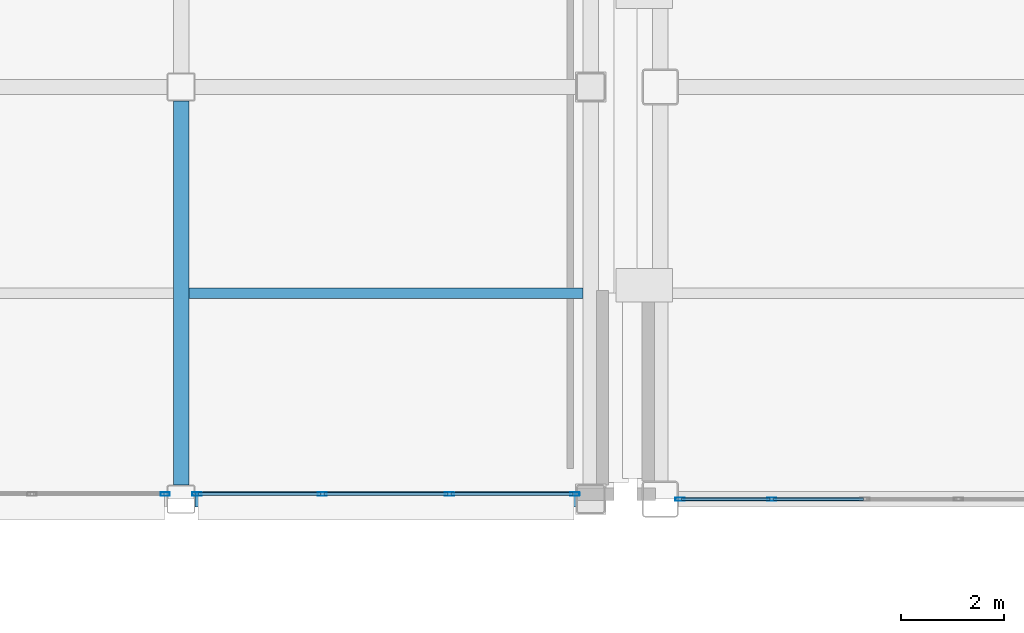
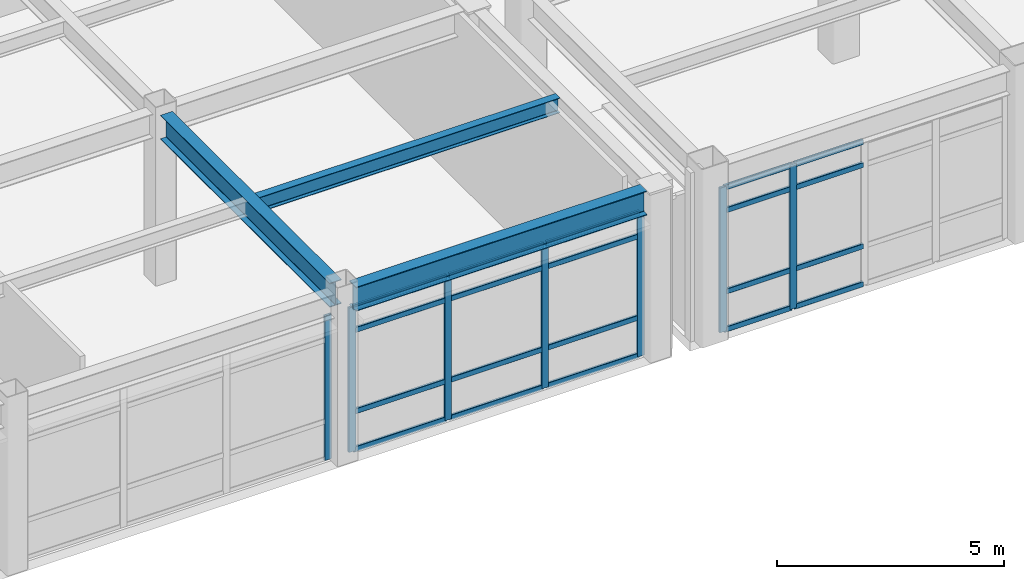
# One storey, part 43 of 154: 27 members, 3 beams, 3 elements without a shape of their own.
"""IFC4 building model written with IfcOpenShell, lengths in metres."""

from ifc_helpers import new_model, si_unit, direction, frame, origin, origin_2d, place, context, subcontext, project, spatial, hollow_rectangle, i_section, extrude, material, layer, layer_set, material_profile, profile_set, type_object, element, aggregate, save


model = new_model("IFC4")

# Units and contexts
model_context = context("Model", 3, precision=1e-05, world=origin(), true_north=direction((0.0, 1.0)))
body_context = subcontext(model_context, "Body", "Model", "MODEL_VIEW")
ifc_project = project(units=[si_unit("LENGTHUNIT", "METRE"), si_unit("AREAUNIT", "SQUARE_METRE"), si_unit("VOLUMEUNIT", "CUBIC_METRE"), si_unit("PLANEANGLEUNIT", "RADIAN"), si_unit("MASSUNIT", "GRAM", prefix="KILO")], contexts=[model_context])

# Site, building, storey
site_placement = place(None, origin())
site = spatial("IfcSite", under=ifc_project, at=site_placement, CompositionType="ELEMENT")
building_placement = place(site_placement, origin())
building = spatial("IfcBuilding", under=site, at=building_placement, Name="Kazehara Bluff Congress Hotel", CompositionType="ELEMENT")
storey_placement = place(building_placement, frame((0.0, 0.0, 10.199951171875)))
storey = spatial("IfcBuildingStorey", under=building, at=storey_placement, Name="L02", CompositionType="ELEMENT", Elevation=10.199951171875)

# Curtain wall, members
ifc_material_1 = material(Name="Anodised aluminium", Category="aluminium")
ifc_layer_1 = layer(ifc_material_1, 0.159912109375)
ifc_layer_set_1 = layer_set([ifc_layer_1], Name="Anodised aluminium")
curtain_wall_type_1 = type_object("IfcCurtainWallType", Name="TP-CW-78", PredefinedType="NOTDEFINED", material=ifc_layer_set_1)
curtain_wall_1_placement = place(storey_placement, origin())
curtain_wall_1 = element("IfcCurtainWall", 1, at=curtain_wall_1_placement, inside=storey, type_object=curtain_wall_type_1, Name="L02 curtain wall CW-78 CW-V5-L02-Y1600-11090", PredefinedType="NOTDEFINED")
ifc_material_2 = material(Name="Anodised aluminium", Category="aluminium")
ifc_material_profile_1 = material_profile(ifc_material_2, hollow_rectangle(XDim=0.06494140625, YDim=0.179931640625, WallThickness=0.00390625, InnerFilletRadius=0.00390625, OuterFilletRadius=0.008056640625, at=origin_2d()))
ifc_profile_set_1 = profile_set([ifc_material_profile_1], Name="Anodised aluminium")
member_type_1 = type_object("IfcMemberType", Name="TP-CWM-02", PredefinedType="MULLION", material=ifc_profile_set_1)
member_1_placement = place(storey_placement, frame((110.9326171875, 16.0, 0.0), z_axis=(0.0, 0.0, 1.0), x_axis=(0.0, 1.0, 0.0)))
member_1 = element("IfcMember", 2, at=member_1_placement, type_object=member_type_1, Name="CW-78 mullion 1", PredefinedType="MULLION", context=body_context, shape_type="SweptSolid", body=[
    extrude(hollow_rectangle(XDim=0.06494140625, YDim=0.179931640625, WallThickness=0.00390625, InnerFilletRadius=0.00390625, OuterFilletRadius=0.008056640625, at=origin_2d()), origin(), (0.0, 0.0, 1.0), 3.885009765625),
])
member_2_placement = place(storey_placement, frame((112.71240234375, 16.0, 0.0), z_axis=(0.0, 0.0, 1.0), x_axis=(0.0, 1.0, 0.0)))
member_2 = element("IfcMember", 3, at=member_2_placement, type_object=member_type_1, Name="CW-78 mullion 2", PredefinedType="MULLION", context=body_context, shape_type="SweptSolid", body=[
    extrude(hollow_rectangle(XDim=0.06494140625, YDim=0.179931640625, WallThickness=0.00390625, InnerFilletRadius=0.00390625, OuterFilletRadius=0.008056640625, at=origin_2d()), origin(), (0.0, 0.0, 1.0), 3.885009765625),
])

# Curtain wall, member
ifc_material_3 = material(Name="Anodised aluminium", Category="aluminium")
ifc_layer_2 = layer(ifc_material_3, 0.159912109375)
ifc_layer_set_2 = layer_set([ifc_layer_2], Name="Anodised aluminium")
curtain_wall_type_2 = type_object("IfcCurtainWallType", Name="TP-CW-117", PredefinedType="NOTDEFINED", material=ifc_layer_set_2)
curtain_wall_2_placement = place(storey_placement, origin())
curtain_wall_2 = element("IfcCurtainWall", 4, at=curtain_wall_2_placement, inside=storey, type_object=curtain_wall_type_2, Name="L02 curtain wall CW-117 CW-ENC-V4-L02-9705-1610", PredefinedType="NOTDEFINED")
member_3_placement = place(storey_placement, frame((100.9423828125, 16.10009765625, 0.0), z_axis=(0.0, 0.0, 1.0), x_axis=(0.0, -1.0, 0.0)))
member_3 = element("IfcMember", 5, at=member_3_placement, type_object=member_type_1, Name="CW-117 mullion 1", PredefinedType="MULLION", context=body_context, shape_type="SweptSolid", body=[
    extrude(hollow_rectangle(XDim=0.06494140625, YDim=0.179931640625, WallThickness=0.00390625, InnerFilletRadius=0.00390625, OuterFilletRadius=0.008056640625, at=origin_2d()), origin(), (0.0, 0.0, 1.0), 3.885009765625),
])
aggregate(curtain_wall_2, [member_3])

# Curtain wall, members
ifc_material_4 = material(Name="Anodised aluminium", Category="aluminium")
ifc_layer_3 = layer(ifc_material_4, 0.159912109375)
ifc_layer_set_3 = layer_set([ifc_layer_3], Name="Anodised aluminium")
curtain_wall_type_3 = type_object("IfcCurtainWallType", Name="TP-CW-34", PredefinedType="NOTDEFINED", material=ifc_layer_set_3)
curtain_wall_3_placement = place(storey_placement, origin())
curtain_wall_3 = element("IfcCurtainWall", 6, at=curtain_wall_3_placement, inside=storey, type_object=curtain_wall_type_3, Name="L02 curtain wall CW-34 CW-ENC-V4-L02-10522-1610", PredefinedType="NOTDEFINED")
member_4_placement = place(storey_placement, frame((108.892578125, 16.10009765625, 0.0), z_axis=(0.0, 0.0, 1.0), x_axis=(0.0, -1.0, 0.0)))
member_4 = element("IfcMember", 7, at=member_4_placement, type_object=member_type_1, Name="CW-34 mullion 1", PredefinedType="MULLION", context=body_context, shape_type="SweptSolid", body=[
    extrude(hollow_rectangle(XDim=0.06494140625, YDim=0.179931640625, WallThickness=0.00390625, InnerFilletRadius=0.00390625, OuterFilletRadius=0.008056640625, at=origin_2d()), origin(), (0.0, 0.0, 1.0), 3.885009765625),
])
member_5_placement = place(storey_placement, frame((106.458251953125, 16.10009765625, 0.0), z_axis=(0.0, 0.0, 1.0), x_axis=(0.0, -1.0, 0.0)))
member_5 = element("IfcMember", 8, at=member_5_placement, type_object=member_type_1, Name="CW-34 mullion 2", PredefinedType="MULLION", context=body_context, shape_type="SweptSolid", body=[
    extrude(hollow_rectangle(XDim=0.06494140625, YDim=0.179931640625, WallThickness=0.00390625, InnerFilletRadius=0.00390625, OuterFilletRadius=0.008056640625, at=origin_2d()), origin(), (0.0, 0.0, 1.0), 3.885009765625),
])
member_6_placement = place(storey_placement, frame((103.99169921875, 16.10009765625, 0.0), z_axis=(0.0, 0.0, 1.0), x_axis=(0.0, -1.0, 0.0)))
member_6 = element("IfcMember", 9, at=member_6_placement, type_object=member_type_1, Name="CW-34 mullion 3", PredefinedType="MULLION", context=body_context, shape_type="SweptSolid", body=[
    extrude(hollow_rectangle(XDim=0.06494140625, YDim=0.179931640625, WallThickness=0.00390625, InnerFilletRadius=0.00390625, OuterFilletRadius=0.008056640625, at=origin_2d()), origin(), (0.0, 0.0, 1.0), 3.885009765625),
])
member_7_placement = place(storey_placement, frame((101.5576171875, 16.10009765625, 0.0), z_axis=(0.0, 0.0, 1.0), x_axis=(0.0, -1.0, 0.0)))
member_7 = element("IfcMember", 10, at=member_7_placement, type_object=member_type_1, Name="CW-34 mullion 4", PredefinedType="MULLION", context=body_context, shape_type="SweptSolid", body=[
    extrude(hollow_rectangle(XDim=0.06494140625, YDim=0.179931640625, WallThickness=0.00390625, InnerFilletRadius=0.00390625, OuterFilletRadius=0.008056640625, at=origin_2d()), origin(), (0.0, 0.0, 1.0), 3.885009765625),
])

# Member
ifc_material_5 = material(Name="Anodised aluminium", Category="aluminium")
ifc_material_profile_2 = material_profile(ifc_material_5, hollow_rectangle(XDim=0.06494140625, YDim=0.139892578125, WallThickness=0.00390625, InnerFilletRadius=0.00390625, OuterFilletRadius=0.008056640625, at=origin_2d()))
ifc_profile_set_2 = profile_set([ifc_material_profile_2], Name="Anodised aluminium")
member_type_2 = type_object("IfcMemberType", Name="TP-CWT-02", PredefinedType="USERDEFINED", material=ifc_profile_set_2)
member_8_placement = place(storey_placement, frame((110.965087890625, 16.0, 0.032470703125), z_axis=(1.0, 0.0, 0.0), x_axis=(0.0, 1.0, 0.0)))
member_8 = element("IfcMember", 11, at=member_8_placement, type_object=member_type_2, Name="CW-78 transom 1.1", ObjectType="TRANSOM", PredefinedType="USERDEFINED", context=body_context, shape_type="SweptSolid", body=[
    extrude(hollow_rectangle(XDim=0.06494140625, YDim=0.139892578125, WallThickness=0.00390625, InnerFilletRadius=0.00390625, OuterFilletRadius=0.008056640625, at=origin_2d()), origin(), (0.0, 0.0, 1.0), 1.71484375),
])

member_9_placement = place(storey_placement, frame((110.965087890625, 16.0, 1.050048828125), z_axis=(1.0, 0.0, 0.0), x_axis=(0.0, 1.0, 0.0)))
member_9 = element("IfcMember", 12, at=member_9_placement, type_object=member_type_2, Name="CW-78 transom 1.2", ObjectType="TRANSOM", PredefinedType="USERDEFINED", context=body_context, shape_type="SweptSolid", body=[
    extrude(hollow_rectangle(XDim=0.06494140625, YDim=0.139892578125, WallThickness=0.00390625, InnerFilletRadius=0.00390625, OuterFilletRadius=0.008056640625, at=origin_2d()), origin(), (0.0, 0.0, 1.0), 1.71484375),
])

member_10_placement = place(storey_placement, frame((110.965087890625, 16.0, 3.235107421875), z_axis=(1.0, 0.0, 0.0), x_axis=(0.0, 1.0, 0.0)))
member_10 = element("IfcMember", 13, at=member_10_placement, type_object=member_type_2, Name="CW-78 transom 1.3", ObjectType="TRANSOM", PredefinedType="USERDEFINED", context=body_context, shape_type="SweptSolid", body=[
    extrude(hollow_rectangle(XDim=0.06494140625, YDim=0.139892578125, WallThickness=0.00390625, InnerFilletRadius=0.00390625, OuterFilletRadius=0.008056640625, at=origin_2d()), origin(), (0.0, 0.0, 1.0), 1.71484375),
])

member_11_placement = place(storey_placement, frame((110.965087890625, 16.0, 3.8525390625), z_axis=(1.0, 0.0, 0.0), x_axis=(0.0, 1.0, 0.0)))
member_11 = element("IfcMember", 14, at=member_11_placement, type_object=member_type_2, Name="CW-78 transom 1.4", ObjectType="TRANSOM", PredefinedType="USERDEFINED", context=body_context, shape_type="SweptSolid", body=[
    extrude(hollow_rectangle(XDim=0.06494140625, YDim=0.139892578125, WallThickness=0.00390625, InnerFilletRadius=0.00390625, OuterFilletRadius=0.008056640625, at=origin_2d()), origin(), (0.0, 0.0, 1.0), 1.71484375),
])

member_12_placement = place(storey_placement, frame((112.7451171875, 16.0, 0.032470703125), z_axis=(1.0, 0.0, 0.0), x_axis=(0.0, 1.0, 0.0)))
member_12 = element("IfcMember", 15, at=member_12_placement, type_object=member_type_2, Name="CW-78 transom 2.1", ObjectType="TRANSOM", PredefinedType="USERDEFINED", context=body_context, shape_type="SweptSolid", body=[
    extrude(hollow_rectangle(XDim=0.06494140625, YDim=0.139892578125, WallThickness=0.00390625, InnerFilletRadius=0.00390625, OuterFilletRadius=0.008056640625, at=origin_2d()), origin(), (0.0, 0.0, 1.0), 1.747314453125),
])

member_13_placement = place(storey_placement, frame((112.7451171875, 16.0, 1.050048828125), z_axis=(1.0, 0.0, 0.0), x_axis=(0.0, 1.0, 0.0)))
member_13 = element("IfcMember", 16, at=member_13_placement, type_object=member_type_2, Name="CW-78 transom 2.2", ObjectType="TRANSOM", PredefinedType="USERDEFINED", context=body_context, shape_type="SweptSolid", body=[
    extrude(hollow_rectangle(XDim=0.06494140625, YDim=0.139892578125, WallThickness=0.00390625, InnerFilletRadius=0.00390625, OuterFilletRadius=0.008056640625, at=origin_2d()), origin(), (0.0, 0.0, 1.0), 1.747314453125),
])

member_14_placement = place(storey_placement, frame((112.7451171875, 16.0, 3.235107421875), z_axis=(1.0, 0.0, 0.0), x_axis=(0.0, 1.0, 0.0)))
member_14 = element("IfcMember", 17, at=member_14_placement, type_object=member_type_2, Name="CW-78 transom 2.3", ObjectType="TRANSOM", PredefinedType="USERDEFINED", context=body_context, shape_type="SweptSolid", body=[
    extrude(hollow_rectangle(XDim=0.06494140625, YDim=0.139892578125, WallThickness=0.00390625, InnerFilletRadius=0.00390625, OuterFilletRadius=0.008056640625, at=origin_2d()), origin(), (0.0, 0.0, 1.0), 1.747314453125),
])

member_15_placement = place(storey_placement, frame((112.7451171875, 16.0, 3.8525390625), z_axis=(1.0, 0.0, 0.0), x_axis=(0.0, 1.0, 0.0)))
member_15 = element("IfcMember", 18, at=member_15_placement, type_object=member_type_2, Name="CW-78 transom 2.4", ObjectType="TRANSOM", PredefinedType="USERDEFINED", context=body_context, shape_type="SweptSolid", body=[
    extrude(hollow_rectangle(XDim=0.06494140625, YDim=0.139892578125, WallThickness=0.00390625, InnerFilletRadius=0.00390625, OuterFilletRadius=0.008056640625, at=origin_2d()), origin(), (0.0, 0.0, 1.0), 1.747314453125),
])

aggregate(curtain_wall_1, [member_1, member_2, member_8, member_9, member_10, member_11, member_12, member_13, member_14, member_15])

member_16_placement = place(storey_placement, frame((108.860107421875, 16.10009765625, 0.032470703125), z_axis=(-1.0, 0.0, 0.0), x_axis=(0.0, -1.0, 0.0)))
member_16 = element("IfcMember", 19, at=member_16_placement, type_object=member_type_2, Name="CW-34 transom 1.1", ObjectType="TRANSOM", PredefinedType="USERDEFINED", context=body_context, shape_type="SweptSolid", body=[
    extrude(hollow_rectangle(XDim=0.06494140625, YDim=0.139892578125, WallThickness=0.00390625, InnerFilletRadius=0.00390625, OuterFilletRadius=0.008056640625, at=origin_2d()), origin(), (0.0, 0.0, 1.0), 2.369384765625),
])

member_17_placement = place(storey_placement, frame((108.860107421875, 16.10009765625, 1.050048828125), z_axis=(-1.0, 0.0, 0.0), x_axis=(0.0, -1.0, 0.0)))
member_17 = element("IfcMember", 20, at=member_17_placement, type_object=member_type_2, Name="CW-34 transom 1.2", ObjectType="TRANSOM", PredefinedType="USERDEFINED", context=body_context, shape_type="SweptSolid", body=[
    extrude(hollow_rectangle(XDim=0.06494140625, YDim=0.139892578125, WallThickness=0.00390625, InnerFilletRadius=0.00390625, OuterFilletRadius=0.008056640625, at=origin_2d()), origin(), (0.0, 0.0, 1.0), 2.369384765625),
])

member_18_placement = place(storey_placement, frame((108.860107421875, 16.10009765625, 3.235107421875), z_axis=(-1.0, 0.0, 0.0), x_axis=(0.0, -1.0, 0.0)))
member_18 = element("IfcMember", 21, at=member_18_placement, type_object=member_type_2, Name="CW-34 transom 1.3", ObjectType="TRANSOM", PredefinedType="USERDEFINED", context=body_context, shape_type="SweptSolid", body=[
    extrude(hollow_rectangle(XDim=0.06494140625, YDim=0.139892578125, WallThickness=0.00390625, InnerFilletRadius=0.00390625, OuterFilletRadius=0.008056640625, at=origin_2d()), origin(), (0.0, 0.0, 1.0), 2.369384765625),
])

member_19_placement = place(storey_placement, frame((108.860107421875, 16.10009765625, 3.8525390625), z_axis=(-1.0, 0.0, 0.0), x_axis=(0.0, -1.0, 0.0)))
member_19 = element("IfcMember", 22, at=member_19_placement, type_object=member_type_2, Name="CW-34 transom 1.4", ObjectType="TRANSOM", PredefinedType="USERDEFINED", context=body_context, shape_type="SweptSolid", body=[
    extrude(hollow_rectangle(XDim=0.06494140625, YDim=0.139892578125, WallThickness=0.00390625, InnerFilletRadius=0.00390625, OuterFilletRadius=0.008056640625, at=origin_2d()), origin(), (0.0, 0.0, 1.0), 2.369384765625),
])

member_20_placement = place(storey_placement, frame((106.42578125, 16.10009765625, 0.032470703125), z_axis=(-1.0, 0.0, 0.0), x_axis=(0.0, -1.0, 0.0)))
member_20 = element("IfcMember", 23, at=member_20_placement, type_object=member_type_2, Name="CW-34 transom 2.1", ObjectType="TRANSOM", PredefinedType="USERDEFINED", context=body_context, shape_type="SweptSolid", body=[
    extrude(hollow_rectangle(XDim=0.06494140625, YDim=0.139892578125, WallThickness=0.00390625, InnerFilletRadius=0.00390625, OuterFilletRadius=0.008056640625, at=origin_2d()), origin(), (0.0, 0.0, 1.0), 2.401611328125),
])

member_21_placement = place(storey_placement, frame((106.42578125, 16.10009765625, 1.050048828125), z_axis=(-1.0, 0.0, 0.0), x_axis=(0.0, -1.0, 0.0)))
member_21 = element("IfcMember", 24, at=member_21_placement, type_object=member_type_2, Name="CW-34 transom 2.2", ObjectType="TRANSOM", PredefinedType="USERDEFINED", context=body_context, shape_type="SweptSolid", body=[
    extrude(hollow_rectangle(XDim=0.06494140625, YDim=0.139892578125, WallThickness=0.00390625, InnerFilletRadius=0.00390625, OuterFilletRadius=0.008056640625, at=origin_2d()), origin(), (0.0, 0.0, 1.0), 2.401611328125),
])

member_22_placement = place(storey_placement, frame((106.42578125, 16.10009765625, 3.235107421875), z_axis=(-1.0, 0.0, 0.0), x_axis=(0.0, -1.0, 0.0)))
member_22 = element("IfcMember", 25, at=member_22_placement, type_object=member_type_2, Name="CW-34 transom 2.3", ObjectType="TRANSOM", PredefinedType="USERDEFINED", context=body_context, shape_type="SweptSolid", body=[
    extrude(hollow_rectangle(XDim=0.06494140625, YDim=0.139892578125, WallThickness=0.00390625, InnerFilletRadius=0.00390625, OuterFilletRadius=0.008056640625, at=origin_2d()), origin(), (0.0, 0.0, 1.0), 2.401611328125),
])

member_23_placement = place(storey_placement, frame((106.42578125, 16.10009765625, 3.8525390625), z_axis=(-1.0, 0.0, 0.0), x_axis=(0.0, -1.0, 0.0)))
member_23 = element("IfcMember", 26, at=member_23_placement, type_object=member_type_2, Name="CW-34 transom 2.4", ObjectType="TRANSOM", PredefinedType="USERDEFINED", context=body_context, shape_type="SweptSolid", body=[
    extrude(hollow_rectangle(XDim=0.06494140625, YDim=0.139892578125, WallThickness=0.00390625, InnerFilletRadius=0.00390625, OuterFilletRadius=0.008056640625, at=origin_2d()), origin(), (0.0, 0.0, 1.0), 2.401611328125),
])

member_24_placement = place(storey_placement, frame((103.959228515625, 16.10009765625, 0.032470703125), z_axis=(-1.0, 0.0, 0.0), x_axis=(0.0, -1.0, 0.0)))
member_24 = element("IfcMember", 27, at=member_24_placement, type_object=member_type_2, Name="CW-34 transom 3.1", ObjectType="TRANSOM", PredefinedType="USERDEFINED", context=body_context, shape_type="SweptSolid", body=[
    extrude(hollow_rectangle(XDim=0.06494140625, YDim=0.139892578125, WallThickness=0.00390625, InnerFilletRadius=0.00390625, OuterFilletRadius=0.008056640625, at=origin_2d()), origin(), (0.0, 0.0, 1.0), 2.369140625),
])

member_25_placement = place(storey_placement, frame((103.959228515625, 16.10009765625, 1.050048828125), z_axis=(-1.0, 0.0, 0.0), x_axis=(0.0, -1.0, 0.0)))
member_25 = element("IfcMember", 28, at=member_25_placement, type_object=member_type_2, Name="CW-34 transom 3.2", ObjectType="TRANSOM", PredefinedType="USERDEFINED", context=body_context, shape_type="SweptSolid", body=[
    extrude(hollow_rectangle(XDim=0.06494140625, YDim=0.139892578125, WallThickness=0.00390625, InnerFilletRadius=0.00390625, OuterFilletRadius=0.008056640625, at=origin_2d()), origin(), (0.0, 0.0, 1.0), 2.369140625),
])

member_26_placement = place(storey_placement, frame((103.959228515625, 16.10009765625, 3.235107421875), z_axis=(-1.0, 0.0, 0.0), x_axis=(0.0, -1.0, 0.0)))
member_26 = element("IfcMember", 29, at=member_26_placement, type_object=member_type_2, Name="CW-34 transom 3.3", ObjectType="TRANSOM", PredefinedType="USERDEFINED", context=body_context, shape_type="SweptSolid", body=[
    extrude(hollow_rectangle(XDim=0.06494140625, YDim=0.139892578125, WallThickness=0.00390625, InnerFilletRadius=0.00390625, OuterFilletRadius=0.008056640625, at=origin_2d()), origin(), (0.0, 0.0, 1.0), 2.369140625),
])

member_27_placement = place(storey_placement, frame((103.959228515625, 16.10009765625, 3.8525390625), z_axis=(-1.0, 0.0, 0.0), x_axis=(0.0, -1.0, 0.0)))
member_27 = element("IfcMember", 30, at=member_27_placement, type_object=member_type_2, Name="CW-34 transom 3.4", ObjectType="TRANSOM", PredefinedType="USERDEFINED", context=body_context, shape_type="SweptSolid", body=[
    extrude(hollow_rectangle(XDim=0.06494140625, YDim=0.139892578125, WallThickness=0.00390625, InnerFilletRadius=0.00390625, OuterFilletRadius=0.008056640625, at=origin_2d()), origin(), (0.0, 0.0, 1.0), 2.369140625),
])

aggregate(curtain_wall_3, [member_4, member_5, member_6, member_7, member_16, member_17, member_18, member_19, member_20, member_21, member_22, member_23, member_24, member_25, member_26, member_27])

# Beams
ifc_material_6 = material(Name="Steel SN490B", Category="steel")
ifc_material_profile_3 = material_profile(ifc_material_6, i_section(OverallWidth=0.300048828125, OverallDepth=0.64990234375, WebThickness=0.011962890625, FlangeThickness=0.02001953125, FilletRadius=0.012939453125, at=origin_2d()))
ifc_profile_set_3 = profile_set([ifc_material_profile_3], Name="Steel SN490B")
beam_type_1 = type_object("IfcBeamType", Name="TP-G-03", PredefinedType="BEAM", material=ifc_profile_set_3)
beam_1_placement = place(storey_placement, frame((101.25, 16.27490234375, 4.235107421875), z_axis=(0.0, 1.0, 0.0), x_axis=(-1.0, 0.0, 0.0)))
element("IfcBeam", 31, at=beam_1_placement, inside=storey, type_object=beam_type_1, Name="L02 girder G-03 84", PredefinedType="BEAM", context=body_context, shape_type="SweptSolid", body=[
    extrude(i_section(OverallWidth=0.300048828125, OverallDepth=0.64990234375, WebThickness=0.011962890625, FlangeThickness=0.02001953125, FilletRadius=0.012939453125, at=origin_2d()), origin(), (0.0, 0.0, 1.0), 7.4501953125),
])
beam_2_placement = place(storey_placement, frame((101.52490234375, 16.0, 4.235107421875), z_axis=(1.0, 0.0, 0.0), x_axis=(0.0, 1.0, 0.0)))
element("IfcBeam", 32, at=beam_2_placement, inside=storey, type_object=beam_type_1, Name="L02 girder G-03 101", PredefinedType="BEAM", context=body_context, shape_type="SweptSolid", body=[
    extrude(i_section(OverallWidth=0.300048828125, OverallDepth=0.64990234375, WebThickness=0.011962890625, FlangeThickness=0.02001953125, FilletRadius=0.012939453125, at=origin_2d()), origin(), (0.0, 0.0, 1.0), 7.400146484375),
])
ifc_material_7 = material(Name="Steel SN400B", Category="steel")
ifc_material_profile_4 = material_profile(ifc_material_7, i_section(OverallWidth=0.199951171875, OverallDepth=0.39990234375, WebThickness=0.008056640625, FlangeThickness=0.012939453125, FilletRadius=0.012939453125, at=origin_2d()))
ifc_profile_set_4 = profile_set([ifc_material_profile_4], Name="Steel SN400B")
beam_type_2 = type_object("IfcBeamType", Name="TP-J-03", PredefinedType="JOIST", material=ifc_profile_set_4)
beam_3_placement = place(storey_placement, frame((101.39990234375, 20.0, 4.360107421875), z_axis=(1.0, 0.0, 0.0), x_axis=(0.0, 1.0, 0.0)))
element("IfcBeam", 33, at=beam_3_placement, inside=storey, type_object=beam_type_2, Name="L02 secondary joist J-03 22", PredefinedType="JOIST", context=body_context, shape_type="SweptSolid", body=[
    extrude(i_section(OverallWidth=0.199951171875, OverallDepth=0.39990234375, WebThickness=0.008056640625, FlangeThickness=0.012939453125, FilletRadius=0.012939453125, at=origin_2d()), origin(), (0.0, 0.0, 1.0), 7.650146484375),
])

save(model, "model.ifc")
